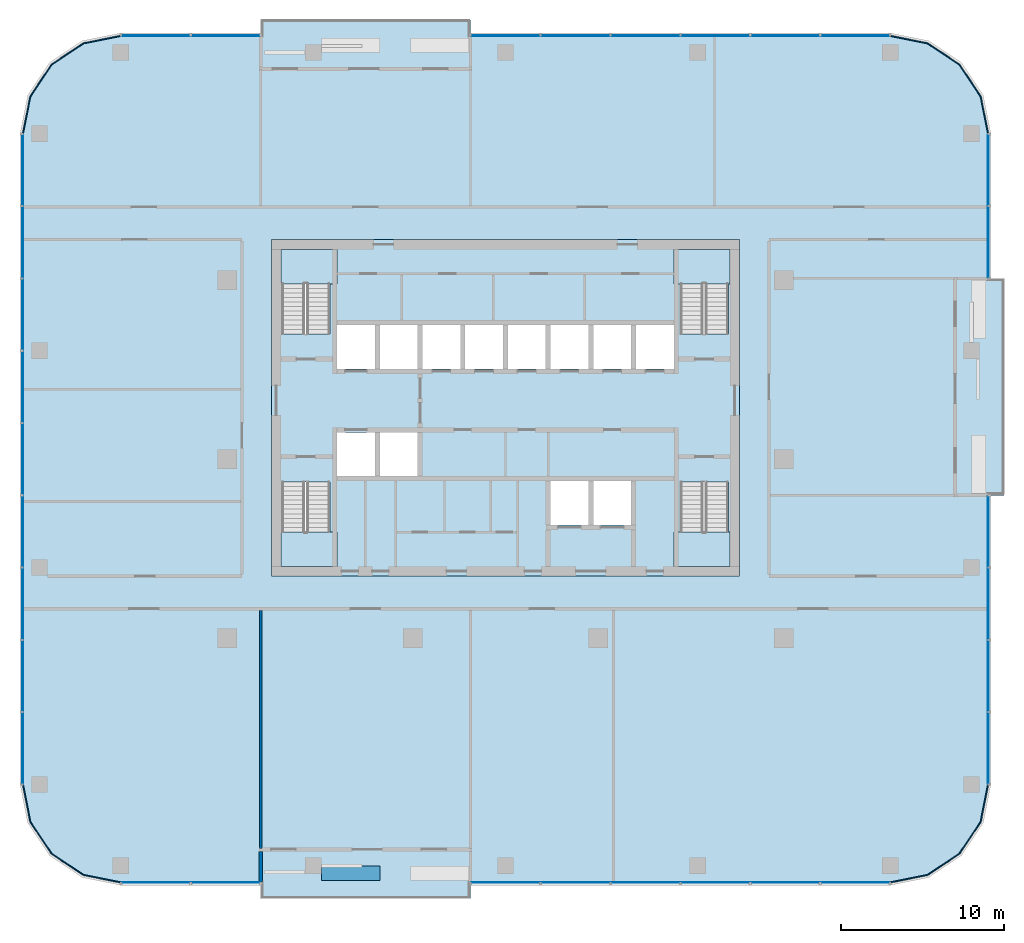
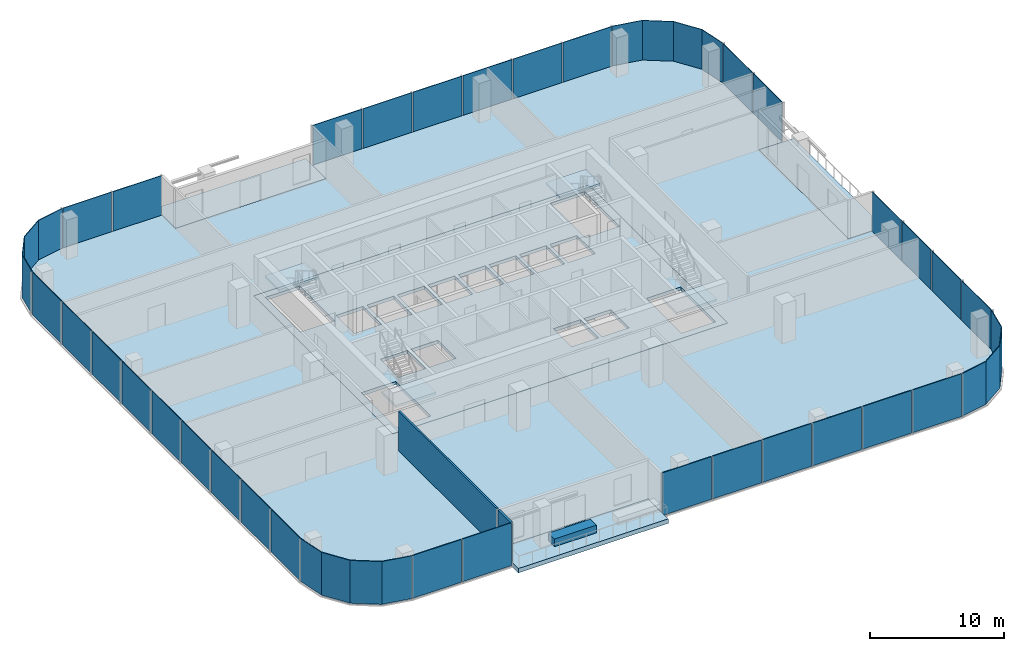
# One storey, part 6 of 13: 35 plates, 9 slabs, 3 walls, 15 elements without a shape of their own.
"""IFC4 building model written with IfcOpenShell, lengths in metres."""

from ifc_helpers import new_model, si_unit, direction, frame, frame_2d, origin, origin_2d, place, context, subcontext, project, spatial, polyline, rectangle, outline, extrude, material, layer, layer_set, type_object, element, aggregate, save


model = new_model("IFC4")

# Units and contexts
model_context = context("Model", 3, precision=1e-05, world=origin(), true_north=direction((0.0, 1.0)))
body_context = subcontext(model_context, "Body", "Model", "MODEL_VIEW")
ifc_project = project(units=[si_unit("LENGTHUNIT", "METRE"), si_unit("AREAUNIT", "SQUARE_METRE"), si_unit("VOLUMEUNIT", "CUBIC_METRE"), si_unit("PLANEANGLEUNIT", "RADIAN"), si_unit("MASSUNIT", "GRAM", prefix="KILO")], contexts=[model_context])

# Site, building, storey
site_placement = place(None, origin())
site = spatial("IfcSite", under=ifc_project, at=site_placement, CompositionType="ELEMENT")
building_placement = place(site_placement, origin())
building = spatial("IfcBuilding", under=site, at=building_placement, Name="Mopane Tessera Tower", CompositionType="ELEMENT")
storey_placement = place(building_placement, frame((0.0, 0.0, 307.39990234375)))
storey = spatial("IfcBuildingStorey", under=building, at=storey_placement, Name="L67", CompositionType="ELEMENT", Elevation=307.39990234375)

# Slab
ifc_material_1 = material(Name="Concrete C40/50", Category="concrete")
ifc_layer_1 = layer(ifc_material_1, 0.300048828125)
ifc_layer_set_1 = layer_set([ifc_layer_1], Name="Concrete C40/50")
slab_type_1 = type_object("IfcSlabType", Name="Core floor slab 300 mm", PredefinedType="FLOOR", material=ifc_layer_set_1)
slab_1_placement = place(storey_placement, frame((0.0, 0.0, -0.2998046875)))
element("IfcSlab", 1, at=slab_1_placement, inside=storey, type_object=slab_type_1, Name="L67 core floor slab", PredefinedType="FLOOR", context=body_context, shape_type="SweptSolid", body=[
    extrude(outline(polyline([(-14.39990234375, -7.199951171875), (14.39990234375, -7.199951171875), (14.39990234375, 13.5), (-14.39990234375, 13.5), (-14.39990234375, -7.199951171875)]), holes=[polyline([(-10.35009765625, -1.050048828125), (-8.02490234375, -1.050048828125), (-8.02490234375, 1.64990234375), (-10.35009765625, 1.64990234375), (-10.35009765625, -1.050048828125)]), polyline([(-7.72509765625, -1.050048828125), (-5.39990234375, -1.050048828125), (-5.39990234375, 1.64990234375), (-7.72509765625, 1.64990234375), (-7.72509765625, -1.050048828125)]), polyline([(-10.35009765625, 5.550048828125), (-8.02490234375, 5.550048828125), (-8.02490234375, 8.25), (-10.35009765625, 8.25), (-10.35009765625, 5.550048828125)]), polyline([(-7.72509765625, 5.550048828125), (-5.39990234375, 5.550048828125), (-5.39990234375, 8.25), (-7.72509765625, 8.25), (-7.72509765625, 5.550048828125)]), polyline([(-5.10009765625, 5.550048828125), (-2.77490234375, 5.550048828125), (-2.77490234375, 8.25), (-5.10009765625, 8.25), (-5.10009765625, 5.550048828125)]), polyline([(-2.47509765625, 5.550048828125), (-0.14990234375, 5.550048828125), (-0.14990234375, 8.25), (-2.47509765625, 8.25), (-2.47509765625, 5.550048828125)]), polyline([(0.14990234375, 5.550048828125), (2.47509765625, 5.550048828125), (2.47509765625, 8.25), (0.14990234375, 8.25), (0.14990234375, 5.550048828125)]), polyline([(2.77490234375, 5.550048828125), (5.10009765625, 5.550048828125), (5.10009765625, 8.25), (2.77490234375, 8.25), (2.77490234375, 5.550048828125)]), polyline([(5.39990234375, 5.550048828125), (7.72509765625, 5.550048828125), (7.72509765625, 8.25), (5.39990234375, 8.25), (5.39990234375, 5.550048828125)]), polyline([(8.02490234375, 5.550048828125), (10.35009765625, 5.550048828125), (10.35009765625, 8.25), (8.02490234375, 8.25), (8.02490234375, 5.550048828125)]), polyline([(2.77490234375, -4.050048828125), (5.10009765625, -4.050048828125), (5.10009765625, -1.35009765625), (2.77490234375, -1.35009765625), (2.77490234375, -4.050048828125)]), polyline([(5.39990234375, -4.050048828125), (7.72509765625, -4.050048828125), (7.72509765625, -1.35009765625), (5.39990234375, -1.35009765625), (5.39990234375, -4.050048828125)]), polyline([(-13.75, -1.405029296875), (-13.75, -6.60009765625), (-10.800048828125, -6.60009765625), (-10.800048828125, -1.405029296875), (-13.75, -1.405029296875)]), polyline([(-10.800048828125, 7.705078125), (-10.800048828125, 12.89990234375), (-13.75, 12.89990234375), (-13.75, 7.705078125), (-10.800048828125, 7.705078125)]), polyline([(10.75, -1.405029296875), (10.75, -6.60009765625), (13.699951171875, -6.60009765625), (13.699951171875, -1.405029296875), (10.75, -1.405029296875)]), polyline([(13.699951171875, 7.705078125), (13.699951171875, 12.89990234375), (10.75, 12.89990234375), (10.75, 7.705078125), (13.699951171875, 7.705078125)])]), origin(), (0.0, 0.0, 1.0), 0.2998046875),
])

# Stair, slab
ifc_material_2 = material(Name="Concrete C50/60", Category="concrete")
stair_type = type_object("IfcStairType", Name="Escape stair 1400 mm, riser 167 mm", PredefinedType="HALF_TURN_STAIR", material=ifc_material_2)
stair_1_placement = place(storey_placement, origin())
stair_1 = element("IfcStair", 2, at=stair_1_placement, inside=storey, type_object=stair_type, Name="L67 Escape stair south-west", PredefinedType="HALF_TURN_STAIR")
ifc_material_3 = material(Name="Concrete C50/60", Category="concrete")
ifc_layer_2 = layer(ifc_material_3, 0.199951171875)
ifc_layer_set_2 = layer_set([ifc_layer_2], Name="Concrete C50/60")
slab_type_2 = type_object("IfcSlabType", Name="Escape stair landing 200 mm", PredefinedType="LANDING", material=ifc_layer_set_2)
slab_2_placement = place(storey_placement, frame((0.0, 0.0, 1.800048828125)))
slab_2 = element("IfcSlab", 3, at=slab_2_placement, type_object=slab_type_2, Name="ST1 landing 1", PredefinedType="LANDING", context=body_context, shape_type="SweptSolid", body=[
    extrude(outline(polyline([(-13.800048828125, -4.47998046875), (-13.800048828125, -6.60009765625), (-10.35009765625, -6.60009765625), (-10.35009765625, -4.47998046875), (-13.800048828125, -4.47998046875)])), origin(), (0.0, 0.0, 1.0), 0.199951171875),
])
aggregate(stair_1, [slab_2])

stair_2_placement = place(storey_placement, origin())
stair_2 = element("IfcStair", 4, at=stair_2_placement, inside=storey, type_object=stair_type, Name="L67 Escape stair north-west", PredefinedType="HALF_TURN_STAIR")
slab_3_placement = place(storey_placement, frame((0.0, 0.0, 1.800048828125)))
slab_3 = element("IfcSlab", 5, at=slab_3_placement, type_object=slab_type_2, Name="ST2 landing 1", PredefinedType="LANDING", context=body_context, shape_type="SweptSolid", body=[
    extrude(outline(polyline([(-10.35009765625, 10.780029296875), (-10.35009765625, 12.89990234375), (-13.800048828125, 12.89990234375), (-13.800048828125, 10.780029296875), (-10.35009765625, 10.780029296875)])), origin(), (0.0, 0.0, 1.0), 0.199951171875),
])
aggregate(stair_2, [slab_3])

stair_3_placement = place(storey_placement, origin())
stair_3 = element("IfcStair", 6, at=stair_3_placement, inside=storey, type_object=stair_type, Name="L67 Escape stair south-east", PredefinedType="HALF_TURN_STAIR")
slab_4_placement = place(storey_placement, frame((0.0, 0.0, 1.800048828125)))
slab_4 = element("IfcSlab", 7, at=slab_4_placement, type_object=slab_type_2, Name="ST3 landing 1", PredefinedType="LANDING", context=body_context, shape_type="SweptSolid", body=[
    extrude(outline(polyline([(10.35009765625, -4.47998046875), (10.35009765625, -6.60009765625), (13.800048828125, -6.60009765625), (13.800048828125, -4.47998046875), (10.35009765625, -4.47998046875)])), origin(), (0.0, 0.0, 1.0), 0.199951171875),
])
aggregate(stair_3, [slab_4])

stair_4_placement = place(storey_placement, origin())
stair_4 = element("IfcStair", 8, at=stair_4_placement, inside=storey, type_object=stair_type, Name="L67 Escape stair north-east", PredefinedType="HALF_TURN_STAIR")
slab_5_placement = place(storey_placement, frame((0.0, 0.0, 1.800048828125)))
slab_5 = element("IfcSlab", 9, at=slab_5_placement, type_object=slab_type_2, Name="ST4 landing 1", PredefinedType="LANDING", context=body_context, shape_type="SweptSolid", body=[
    extrude(outline(polyline([(13.800048828125, 10.780029296875), (13.800048828125, 12.89990234375), (10.35009765625, 12.89990234375), (10.35009765625, 10.780029296875), (13.800048828125, 10.780029296875)])), origin(), (0.0, 0.0, 1.0), 0.199951171875),
])
aggregate(stair_4, [slab_5])

# Slabs
ifc_material_4 = material(Name="Concrete C40/50", Category="concrete")
ifc_layer_3 = layer(ifc_material_4, 0.39990234375)
ifc_layer_set_3 = layer_set([ifc_layer_3], Name="Concrete C40/50")
slab_type_3 = type_object("IfcSlabType", Name="Planted terrace slab 400 mm", PredefinedType="FLOOR", material=ifc_layer_set_3)
slab_6_placement = place(storey_placement, frame((0.0, 0.0, -0.39990234375)))
element("IfcSlab", 10, at=slab_6_placement, inside=storey, type_object=slab_type_3, Name="Terrace slab N1 L67", PredefinedType="FLOOR", context=body_context, shape_type="SweptSolid", body=[
    extrude(outline(polyline([(30.64990234375, 11.111083984375), (27.64990234375, 11.111083984375), (27.64990234375, -2.22216796875), (30.64990234375, -2.22216796875), (30.64990234375, 11.111083984375)])), origin(), (0.0, 0.0, 1.0), 0.39990234375),
])
slab_7_placement = place(storey_placement, frame((0.0, 0.0, -0.39990234375)))
element("IfcSlab", 11, at=slab_7_placement, inside=storey, type_object=slab_type_3, Name="Terrace slab N2 L67", PredefinedType="FLOOR", context=body_context, shape_type="SweptSolid", body=[
    extrude(outline(polyline([(-15.050048828125, 27.0), (-15.050048828125, 24.0), (-2.14990234375, 24.0), (-2.14990234375, 27.0), (-15.050048828125, 27.0)])), origin(), (0.0, 0.0, 1.0), 0.39990234375),
])
slab_8_placement = place(storey_placement, frame((0.0, 0.0, -0.39990234375)))
element("IfcSlab", 12, at=slab_8_placement, inside=storey, type_object=slab_type_3, Name="Terrace slab N3 L67", PredefinedType="FLOOR", context=body_context, shape_type="SweptSolid", body=[
    extrude(outline(polyline([(-2.14990234375, -27.0), (-2.14990234375, -24.0), (-15.050048828125, -24.0), (-15.050048828125, -27.0), (-2.14990234375, -27.0)])), origin(), (0.0, 0.0, 1.0), 0.39990234375),
])
ifc_material_5 = material(Name="Concrete C40/50", Category="concrete")
ifc_layer_4 = layer(ifc_material_5, 0.39990234375)
ifc_layer_set_4 = layer_set([ifc_layer_4], Name="Concrete C40/50")
slab_type_4 = type_object("IfcSlabType", Name="Post-tensioned flat plate 400 mm", PredefinedType="FLOOR", material=ifc_layer_set_4)
slab_9_placement = place(storey_placement, frame((0.0, 0.0, -0.39990234375)))
element("IfcSlab", 13, at=slab_9_placement, inside=storey, type_object=slab_type_4, Name="Floor slab L67", PredefinedType="FLOOR", context=body_context, shape_type="SweptSolid", body=[
    extrude(outline(polyline([(-23.64990234375, -26.0), (-15.050048828125, -26.0), (-15.050048828125, -24.0), (-2.14990234375, -24.0), (-2.14990234375, -26.0), (23.64990234375, -26.0), (25.946044921875, -25.543212890625), (27.892578125, -24.24267578125), (29.193359375, -22.296142578125), (29.64990234375, -20.0), (29.64990234375, -2.22216796875), (27.64990234375, -2.22216796875), (27.64990234375, 11.111083984375), (29.64990234375, 11.111083984375), (29.64990234375, 20.0), (29.193359375, 22.296142578125), (27.892578125, 24.24267578125), (25.946044921875, 25.543212890625), (23.64990234375, 26.0), (-2.14990234375, 26.0), (-2.14990234375, 24.0), (-15.050048828125, 24.0), (-15.050048828125, 26.0), (-23.64990234375, 26.0), (-25.946044921875, 25.543212890625), (-27.892578125, 24.24267578125), (-29.193359375, 22.296142578125), (-29.64990234375, 20.0), (-29.64990234375, -20.0), (-29.193359375, -22.296142578125), (-27.892578125, -24.24267578125), (-25.946044921875, -25.543212890625), (-23.64990234375, -26.0)]), holes=[polyline([(14.39990234375, -7.199951171875), (-14.39990234375, -7.199951171875), (-14.39990234375, 13.5), (14.39990234375, 13.5), (14.39990234375, -7.199951171875)])]), origin(), (0.0, 0.0, 1.0), 0.39990234375),
])

# Curtain wall, plates
ifc_material_6 = material(Name="Aluminium frame", Category="aluminium")
curtain_wall_type = type_object("IfcCurtainWallType", Name="Unitised curtain wall", PredefinedType="NOTDEFINED", material=ifc_material_6)
curtain_wall_1_placement = place(storey_placement, origin())
curtain_wall_1 = element("IfcCurtainWall", 14, at=curtain_wall_1_placement, inside=storey, type_object=curtain_wall_type, Name="e:cw:L67:S:0", PredefinedType="NOTDEFINED")
ifc_material_7 = material(Name="Clear laminated glass", Category="glass")
ifc_layer_5 = layer(ifc_material_7, 0.06005859375)
ifc_layer_set_5 = layer_set([ifc_layer_5], Name="Clear laminated glass")
plate_type = type_object("IfcPlateType", Name="Unitised glazed unit", PredefinedType="CURTAIN_PANEL", material=ifc_layer_set_5)
plate_1_placement = place(storey_placement, frame((-21.5, -26.030029296875, -0.27978515625), z_axis=(0.0, 0.0, 1.0), x_axis=(1.0, 0.0, 0.0)))
plate_1 = element("IfcPlate", 15, at=plate_1_placement, type_object=plate_type, Name="e:cw:L67:S:0:pn0", PredefinedType="CURTAIN_PANEL", context=body_context, shape_type="SweptSolid", body=[
    extrude(rectangle(XDim=4.199951171875, YDim=0.06005859375, at=origin_2d()), origin(), (0.0, 0.0, 1.0), 3.8798828125),
])
plate_2_placement = place(storey_placement, frame((-17.199951171875, -26.030029296875, -0.27978515625), z_axis=(0.0, 0.0, 1.0), x_axis=(1.0, 0.0, 0.0)))
plate_2 = element("IfcPlate", 16, at=plate_2_placement, type_object=plate_type, Name="e:cw:L67:S:0:pn1", PredefinedType="CURTAIN_PANEL", context=body_context, shape_type="SweptSolid", body=[
    extrude(rectangle(XDim=4.199951171875, YDim=0.06005859375, at=origin_2d()), origin(), (0.0, 0.0, 1.0), 3.8798828125),
])
aggregate(curtain_wall_1, [plate_1, plate_2])

curtain_wall_2_placement = place(storey_placement, origin())
curtain_wall_2 = element("IfcCurtainWall", 17, at=curtain_wall_2_placement, inside=storey, type_object=curtain_wall_type, Name="e:cw:L67:S:5", PredefinedType="NOTDEFINED")
plate_3_placement = place(storey_placement, frame((0.0, -26.030029296875, -0.27978515625), z_axis=(0.0, 0.0, 1.0), x_axis=(1.0, 0.0, 0.0)))
plate_3 = element("IfcPlate", 18, at=plate_3_placement, type_object=plate_type, Name="e:cw:L67:S:5:pn5", PredefinedType="CURTAIN_PANEL", context=body_context, shape_type="SweptSolid", body=[
    extrude(rectangle(XDim=4.199951171875, YDim=0.06005859375, at=origin_2d()), origin(), (0.0, 0.0, 1.0), 3.8798828125),
])
plate_4_placement = place(storey_placement, frame((4.300048828125, -26.030029296875, -0.27978515625), z_axis=(0.0, 0.0, 1.0), x_axis=(1.0, 0.0, 0.0)))
plate_4 = element("IfcPlate", 19, at=plate_4_placement, type_object=plate_type, Name="e:cw:L67:S:5:pn6", PredefinedType="CURTAIN_PANEL", context=body_context, shape_type="SweptSolid", body=[
    extrude(rectangle(XDim=4.199951171875, YDim=0.06005859375, at=origin_2d()), origin(), (0.0, 0.0, 1.0), 3.8798828125),
])
plate_5_placement = place(storey_placement, frame((8.60009765625, -26.030029296875, -0.27978515625), z_axis=(0.0, 0.0, 1.0), x_axis=(1.0, 0.0, 0.0)))
plate_5 = element("IfcPlate", 20, at=plate_5_placement, type_object=plate_type, Name="e:cw:L67:S:5:pn7", PredefinedType="CURTAIN_PANEL", context=body_context, shape_type="SweptSolid", body=[
    extrude(rectangle(XDim=4.199951171875, YDim=0.06005859375, at=origin_2d()), origin(), (0.0, 0.0, 1.0), 3.8798828125),
])
plate_6_placement = place(storey_placement, frame((12.89990234375, -26.030029296875, -0.27978515625), z_axis=(0.0, 0.0, 1.0), x_axis=(1.0, 0.0, 0.0)))
plate_6 = element("IfcPlate", 21, at=plate_6_placement, type_object=plate_type, Name="e:cw:L67:S:5:pn8", PredefinedType="CURTAIN_PANEL", context=body_context, shape_type="SweptSolid", body=[
    extrude(rectangle(XDim=4.199951171875, YDim=0.06005859375, at=origin_2d()), origin(), (0.0, 0.0, 1.0), 3.8798828125),
])
plate_7_placement = place(storey_placement, frame((17.199951171875, -26.030029296875, -0.27978515625), z_axis=(0.0, 0.0, 1.0), x_axis=(1.0, 0.0, 0.0)))
plate_7 = element("IfcPlate", 22, at=plate_7_placement, type_object=plate_type, Name="e:cw:L67:S:5:pn9", PredefinedType="CURTAIN_PANEL", context=body_context, shape_type="SweptSolid", body=[
    extrude(rectangle(XDim=4.199951171875, YDim=0.06005859375, at=origin_2d()), origin(), (0.0, 0.0, 1.0), 3.8798828125),
])
plate_8_placement = place(storey_placement, frame((21.5, -26.030029296875, -0.27978515625), z_axis=(0.0, 0.0, 1.0), x_axis=(1.0, 0.0, 0.0)))
plate_8 = element("IfcPlate", 23, at=plate_8_placement, type_object=plate_type, Name="e:cw:L67:S:5:pn10", PredefinedType="CURTAIN_PANEL", context=body_context, shape_type="SweptSolid", body=[
    extrude(rectangle(XDim=4.199951171875, YDim=0.06005859375, at=origin_2d()), origin(), (0.0, 0.0, 1.0), 3.8798828125),
])
aggregate(curtain_wall_2, [plate_3, plate_4, plate_5, plate_6, plate_7, plate_8])

# Curtain wall, plate
curtain_wall_3_placement = place(storey_placement, origin())
curtain_wall_3 = element("IfcCurtainWall", 24, at=curtain_wall_3_placement, inside=storey, type_object=curtain_wall_type, Name="e:cw:L67:CS", PredefinedType="NOTDEFINED")
plate_9_placement = place(storey_placement, frame((0.0, 0.0, -0.27978515625)))
plate_9 = element("IfcPlate", 25, at=plate_9_placement, type_object=plate_type, Name="e:cw:L67:CS:pn", PredefinedType="CURTAIN_PANEL", context=body_context, shape_type="SweptSolid", body=[
    extrude(outline(polyline([(23.64990234375, -26.0), (25.946044921875, -25.543212890625), (27.892578125, -24.24267578125), (29.193359375, -22.296142578125), (29.64990234375, -20.0), (29.7099609375, -20.0), (29.248779296875, -22.319091796875), (27.93505859375, -24.28515625), (25.968994140625, -25.5986328125), (23.64990234375, -26.06005859375), (23.64990234375, -26.0)])), origin(), (0.0, 0.0, 1.0), 3.8798828125),
])
aggregate(curtain_wall_3, [plate_9])

# Curtain wall, plates
curtain_wall_4_placement = place(storey_placement, origin())
curtain_wall_4 = element("IfcCurtainWall", 26, at=curtain_wall_4_placement, inside=storey, type_object=curtain_wall_type, Name="e:cw:L67:E:0", PredefinedType="NOTDEFINED")
plate_10_placement = place(storey_placement, frame((29.679931640625, -17.77783203125, -0.27978515625), z_axis=(0.0, 0.0, 1.0), x_axis=(0.0, 1.0, 0.0)))
plate_10 = element("IfcPlate", 27, at=plate_10_placement, type_object=plate_type, Name="e:cw:L67:E:0:pn0", PredefinedType="CURTAIN_PANEL", context=body_context, shape_type="SweptSolid", body=[
    extrude(rectangle(XDim=4.344482421875, YDim=0.06005859375, at=origin_2d()), origin(), (0.0, 0.0, 1.0), 3.8798828125),
])
plate_11_placement = place(storey_placement, frame((29.679931640625, -13.333251953125, -0.27978515625), z_axis=(0.0, 0.0, 1.0), x_axis=(0.0, 1.0, 0.0)))
plate_11 = element("IfcPlate", 28, at=plate_11_placement, type_object=plate_type, Name="e:cw:L67:E:0:pn1", PredefinedType="CURTAIN_PANEL", context=body_context, shape_type="SweptSolid", body=[
    extrude(rectangle(XDim=4.344482421875, YDim=0.06005859375, at=origin_2d()), origin(), (0.0, 0.0, 1.0), 3.8798828125),
])
plate_12_placement = place(storey_placement, frame((29.679931640625, -8.888916015625, -0.27978515625), z_axis=(0.0, 0.0, 1.0), x_axis=(0.0, 1.0, 0.0)))
plate_12 = element("IfcPlate", 29, at=plate_12_placement, type_object=plate_type, Name="e:cw:L67:E:0:pn2", PredefinedType="CURTAIN_PANEL", context=body_context, shape_type="SweptSolid", body=[
    extrude(rectangle(XDim=4.344482421875, YDim=0.06005859375, at=origin_2d()), origin(), (0.0, 0.0, 1.0), 3.8798828125),
])
plate_13_placement = place(storey_placement, frame((29.679931640625, -4.4443359375, -0.27978515625), z_axis=(0.0, 0.0, 1.0), x_axis=(0.0, 1.0, 0.0)))
plate_13 = element("IfcPlate", 30, at=plate_13_placement, type_object=plate_type, Name="e:cw:L67:E:0:pn3", PredefinedType="CURTAIN_PANEL", context=body_context, shape_type="SweptSolid", body=[
    extrude(rectangle(XDim=4.344482421875, YDim=0.06005859375, at=origin_2d()), origin(), (0.0, 0.0, 1.0), 3.8798828125),
])
aggregate(curtain_wall_4, [plate_10, plate_11, plate_12, plate_13])

curtain_wall_5_placement = place(storey_placement, origin())
curtain_wall_5 = element("IfcCurtainWall", 31, at=curtain_wall_5_placement, inside=storey, type_object=curtain_wall_type, Name="e:cw:L67:E:7", PredefinedType="NOTDEFINED")
plate_14_placement = place(storey_placement, frame((29.679931640625, 13.333251953125, -0.27978515625), z_axis=(0.0, 0.0, 1.0), x_axis=(0.0, 1.0, 0.0)))
plate_14 = element("IfcPlate", 32, at=plate_14_placement, type_object=plate_type, Name="e:cw:L67:E:7:pn7", PredefinedType="CURTAIN_PANEL", context=body_context, shape_type="SweptSolid", body=[
    extrude(rectangle(XDim=4.344482421875, YDim=0.06005859375, at=origin_2d()), origin(), (0.0, 0.0, 1.0), 3.8798828125),
])
plate_15_placement = place(storey_placement, frame((29.679931640625, 17.77783203125, -0.27978515625), z_axis=(0.0, 0.0, 1.0), x_axis=(0.0, 1.0, 0.0)))
plate_15 = element("IfcPlate", 33, at=plate_15_placement, type_object=plate_type, Name="e:cw:L67:E:7:pn8", PredefinedType="CURTAIN_PANEL", context=body_context, shape_type="SweptSolid", body=[
    extrude(rectangle(XDim=4.344482421875, YDim=0.06005859375, at=origin_2d()), origin(), (0.0, 0.0, 1.0), 3.8798828125),
])
aggregate(curtain_wall_5, [plate_14, plate_15])

# Curtain wall, plate
curtain_wall_6_placement = place(storey_placement, origin())
curtain_wall_6 = element("IfcCurtainWall", 34, at=curtain_wall_6_placement, inside=storey, type_object=curtain_wall_type, Name="e:cw:L67:CE", PredefinedType="NOTDEFINED")
plate_16_placement = place(storey_placement, frame((0.0, 0.0, -0.27978515625)))
plate_16 = element("IfcPlate", 35, at=plate_16_placement, type_object=plate_type, Name="e:cw:L67:CE:pn", PredefinedType="CURTAIN_PANEL", context=body_context, shape_type="SweptSolid", body=[
    extrude(outline(polyline([(29.64990234375, 20.0), (29.193359375, 22.296142578125), (27.892578125, 24.24267578125), (25.946044921875, 25.543212890625), (23.64990234375, 26.0), (23.64990234375, 26.06005859375), (25.968994140625, 25.5986328125), (27.93505859375, 24.28515625), (29.248779296875, 22.319091796875), (29.7099609375, 20.0), (29.64990234375, 20.0)])), origin(), (0.0, 0.0, 1.0), 3.8798828125),
])
aggregate(curtain_wall_6, [plate_16])

# Curtain wall, plates
curtain_wall_7_placement = place(storey_placement, origin())
curtain_wall_7 = element("IfcCurtainWall", 36, at=curtain_wall_7_placement, inside=storey, type_object=curtain_wall_type, Name="e:cw:L67:N:0", PredefinedType="NOTDEFINED")
plate_17_placement = place(storey_placement, frame((21.5, 26.030029296875, -0.27978515625), z_axis=(0.0, 0.0, 1.0), x_axis=(-1.0, 0.0, 0.0)))
plate_17 = element("IfcPlate", 37, at=plate_17_placement, type_object=plate_type, Name="e:cw:L67:N:0:pn0", PredefinedType="CURTAIN_PANEL", context=body_context, shape_type="SweptSolid", body=[
    extrude(rectangle(XDim=4.199951171875, YDim=0.06005859375, at=origin_2d()), origin(), (0.0, 0.0, 1.0), 3.8798828125),
])
plate_18_placement = place(storey_placement, frame((17.199951171875, 26.030029296875, -0.27978515625), z_axis=(0.0, 0.0, 1.0), x_axis=(-1.0, 0.0, 0.0)))
plate_18 = element("IfcPlate", 38, at=plate_18_placement, type_object=plate_type, Name="e:cw:L67:N:0:pn1", PredefinedType="CURTAIN_PANEL", context=body_context, shape_type="SweptSolid", body=[
    extrude(rectangle(XDim=4.199951171875, YDim=0.06005859375, at=origin_2d()), origin(), (0.0, 0.0, 1.0), 3.8798828125),
])
plate_19_placement = place(storey_placement, frame((12.89990234375, 26.030029296875, -0.27978515625), z_axis=(0.0, 0.0, 1.0), x_axis=(-1.0, 0.0, 0.0)))
plate_19 = element("IfcPlate", 39, at=plate_19_placement, type_object=plate_type, Name="e:cw:L67:N:0:pn2", PredefinedType="CURTAIN_PANEL", context=body_context, shape_type="SweptSolid", body=[
    extrude(rectangle(XDim=4.199951171875, YDim=0.06005859375, at=origin_2d()), origin(), (0.0, 0.0, 1.0), 3.8798828125),
])
plate_20_placement = place(storey_placement, frame((8.60009765625, 26.030029296875, -0.27978515625), z_axis=(0.0, 0.0, 1.0), x_axis=(-1.0, 0.0, 0.0)))
plate_20 = element("IfcPlate", 40, at=plate_20_placement, type_object=plate_type, Name="e:cw:L67:N:0:pn3", PredefinedType="CURTAIN_PANEL", context=body_context, shape_type="SweptSolid", body=[
    extrude(rectangle(XDim=4.199951171875, YDim=0.06005859375, at=origin_2d()), origin(), (0.0, 0.0, 1.0), 3.8798828125),
])
plate_21_placement = place(storey_placement, frame((4.300048828125, 26.030029296875, -0.27978515625), z_axis=(0.0, 0.0, 1.0), x_axis=(-1.0, 0.0, 0.0)))
plate_21 = element("IfcPlate", 41, at=plate_21_placement, type_object=plate_type, Name="e:cw:L67:N:0:pn4", PredefinedType="CURTAIN_PANEL", context=body_context, shape_type="SweptSolid", body=[
    extrude(rectangle(XDim=4.199951171875, YDim=0.06005859375, at=origin_2d()), origin(), (0.0, 0.0, 1.0), 3.8798828125),
])
plate_22_placement = place(storey_placement, frame((0.0, 26.030029296875, -0.27978515625), z_axis=(0.0, 0.0, 1.0), x_axis=(-1.0, 0.0, 0.0)))
plate_22 = element("IfcPlate", 42, at=plate_22_placement, type_object=plate_type, Name="e:cw:L67:N:0:pn5", PredefinedType="CURTAIN_PANEL", context=body_context, shape_type="SweptSolid", body=[
    extrude(rectangle(XDim=4.199951171875, YDim=0.06005859375, at=origin_2d()), origin(), (0.0, 0.0, 1.0), 3.8798828125),
])
aggregate(curtain_wall_7, [plate_17, plate_18, plate_19, plate_20, plate_21, plate_22])

curtain_wall_8_placement = place(storey_placement, origin())
curtain_wall_8 = element("IfcCurtainWall", 43, at=curtain_wall_8_placement, inside=storey, type_object=curtain_wall_type, Name="e:cw:L67:N:9", PredefinedType="NOTDEFINED")
plate_23_placement = place(storey_placement, frame((-17.199951171875, 26.030029296875, -0.27978515625), z_axis=(0.0, 0.0, 1.0), x_axis=(-1.0, 0.0, 0.0)))
plate_23 = element("IfcPlate", 44, at=plate_23_placement, type_object=plate_type, Name="e:cw:L67:N:9:pn9", PredefinedType="CURTAIN_PANEL", context=body_context, shape_type="SweptSolid", body=[
    extrude(rectangle(XDim=4.199951171875, YDim=0.06005859375, at=origin_2d()), origin(), (0.0, 0.0, 1.0), 3.8798828125),
])
plate_24_placement = place(storey_placement, frame((-21.5, 26.030029296875, -0.27978515625), z_axis=(0.0, 0.0, 1.0), x_axis=(-1.0, 0.0, 0.0)))
plate_24 = element("IfcPlate", 45, at=plate_24_placement, type_object=plate_type, Name="e:cw:L67:N:9:pn10", PredefinedType="CURTAIN_PANEL", context=body_context, shape_type="SweptSolid", body=[
    extrude(rectangle(XDim=4.199951171875, YDim=0.06005859375, at=origin_2d()), origin(), (0.0, 0.0, 1.0), 3.8798828125),
])
aggregate(curtain_wall_8, [plate_23, plate_24])

# Curtain wall, plate
curtain_wall_9_placement = place(storey_placement, origin())
curtain_wall_9 = element("IfcCurtainWall", 46, at=curtain_wall_9_placement, inside=storey, type_object=curtain_wall_type, Name="e:cw:L67:CN", PredefinedType="NOTDEFINED")
plate_25_placement = place(storey_placement, frame((0.0, 0.0, -0.27978515625)))
plate_25 = element("IfcPlate", 47, at=plate_25_placement, type_object=plate_type, Name="e:cw:L67:CN:pn", PredefinedType="CURTAIN_PANEL", context=body_context, shape_type="SweptSolid", body=[
    extrude(outline(polyline([(-23.64990234375, 26.0), (-25.946044921875, 25.543212890625), (-27.892578125, 24.24267578125), (-29.193359375, 22.296142578125), (-29.64990234375, 20.0), (-29.7099609375, 20.0), (-29.248779296875, 22.319091796875), (-27.93505859375, 24.28515625), (-25.968994140625, 25.5986328125), (-23.64990234375, 26.06005859375), (-23.64990234375, 26.0)])), origin(), (0.0, 0.0, 1.0), 3.8798828125),
])
aggregate(curtain_wall_9, [plate_25])

# Curtain wall, plates
curtain_wall_10_placement = place(storey_placement, origin())
curtain_wall_10 = element("IfcCurtainWall", 48, at=curtain_wall_10_placement, inside=storey, type_object=curtain_wall_type, Name="e:cw:L67:W:0", PredefinedType="NOTDEFINED")
plate_26_placement = place(storey_placement, frame((-29.679931640625, 17.77783203125, -0.27978515625), z_axis=(0.0, 0.0, 1.0), x_axis=(0.0, -1.0, 0.0)))
plate_26 = element("IfcPlate", 49, at=plate_26_placement, type_object=plate_type, Name="e:cw:L67:W:0:pn0", PredefinedType="CURTAIN_PANEL", context=body_context, shape_type="SweptSolid", body=[
    extrude(rectangle(XDim=4.344482421875, YDim=0.06005859375, at=origin_2d()), origin(), (0.0, 0.0, 1.0), 3.8798828125),
])
plate_27_placement = place(storey_placement, frame((-29.679931640625, 13.333251953125, -0.27978515625), z_axis=(0.0, 0.0, 1.0), x_axis=(0.0, -1.0, 0.0)))
plate_27 = element("IfcPlate", 50, at=plate_27_placement, type_object=plate_type, Name="e:cw:L67:W:0:pn1", PredefinedType="CURTAIN_PANEL", context=body_context, shape_type="SweptSolid", body=[
    extrude(rectangle(XDim=4.344482421875, YDim=0.06005859375, at=origin_2d()), origin(), (0.0, 0.0, 1.0), 3.8798828125),
])
plate_28_placement = place(storey_placement, frame((-29.679931640625, 8.888916015625, -0.27978515625), z_axis=(0.0, 0.0, 1.0), x_axis=(0.0, -1.0, 0.0)))
plate_28 = element("IfcPlate", 51, at=plate_28_placement, type_object=plate_type, Name="e:cw:L67:W:0:pn2", PredefinedType="CURTAIN_PANEL", context=body_context, shape_type="SweptSolid", body=[
    extrude(rectangle(XDim=4.344482421875, YDim=0.06005859375, at=origin_2d()), origin(), (0.0, 0.0, 1.0), 3.8798828125),
])
plate_29_placement = place(storey_placement, frame((-29.679931640625, 4.4443359375, -0.27978515625), z_axis=(0.0, 0.0, 1.0), x_axis=(0.0, -1.0, 0.0)))
plate_29 = element("IfcPlate", 52, at=plate_29_placement, type_object=plate_type, Name="e:cw:L67:W:0:pn3", PredefinedType="CURTAIN_PANEL", context=body_context, shape_type="SweptSolid", body=[
    extrude(rectangle(XDim=4.344482421875, YDim=0.06005859375, at=origin_2d()), origin(), (0.0, 0.0, 1.0), 3.8798828125),
])
plate_30_placement = place(storey_placement, frame((-29.679931640625, 0.0, -0.27978515625), z_axis=(0.0, 0.0, 1.0), x_axis=(0.0, -1.0, 0.0)))
plate_30 = element("IfcPlate", 53, at=plate_30_placement, type_object=plate_type, Name="e:cw:L67:W:0:pn4", PredefinedType="CURTAIN_PANEL", context=body_context, shape_type="SweptSolid", body=[
    extrude(rectangle(XDim=4.344482421875, YDim=0.06005859375, at=origin_2d()), origin(), (0.0, 0.0, 1.0), 3.8798828125),
])
plate_31_placement = place(storey_placement, frame((-29.679931640625, -4.4443359375, -0.27978515625), z_axis=(0.0, 0.0, 1.0), x_axis=(0.0, -1.0, 0.0)))
plate_31 = element("IfcPlate", 54, at=plate_31_placement, type_object=plate_type, Name="e:cw:L67:W:0:pn5", PredefinedType="CURTAIN_PANEL", context=body_context, shape_type="SweptSolid", body=[
    extrude(rectangle(XDim=4.344482421875, YDim=0.06005859375, at=origin_2d()), origin(), (0.0, 0.0, 1.0), 3.8798828125),
])
plate_32_placement = place(storey_placement, frame((-29.679931640625, -8.888916015625, -0.27978515625), z_axis=(0.0, 0.0, 1.0), x_axis=(0.0, -1.0, 0.0)))
plate_32 = element("IfcPlate", 55, at=plate_32_placement, type_object=plate_type, Name="e:cw:L67:W:0:pn6", PredefinedType="CURTAIN_PANEL", context=body_context, shape_type="SweptSolid", body=[
    extrude(rectangle(XDim=4.344482421875, YDim=0.06005859375, at=origin_2d()), origin(), (0.0, 0.0, 1.0), 3.8798828125),
])
plate_33_placement = place(storey_placement, frame((-29.679931640625, -13.333251953125, -0.27978515625), z_axis=(0.0, 0.0, 1.0), x_axis=(0.0, -1.0, 0.0)))
plate_33 = element("IfcPlate", 56, at=plate_33_placement, type_object=plate_type, Name="e:cw:L67:W:0:pn7", PredefinedType="CURTAIN_PANEL", context=body_context, shape_type="SweptSolid", body=[
    extrude(rectangle(XDim=4.344482421875, YDim=0.06005859375, at=origin_2d()), origin(), (0.0, 0.0, 1.0), 3.8798828125),
])
plate_34_placement = place(storey_placement, frame((-29.679931640625, -17.77783203125, -0.27978515625), z_axis=(0.0, 0.0, 1.0), x_axis=(0.0, -1.0, 0.0)))
plate_34 = element("IfcPlate", 57, at=plate_34_placement, type_object=plate_type, Name="e:cw:L67:W:0:pn8", PredefinedType="CURTAIN_PANEL", context=body_context, shape_type="SweptSolid", body=[
    extrude(rectangle(XDim=4.344482421875, YDim=0.06005859375, at=origin_2d()), origin(), (0.0, 0.0, 1.0), 3.8798828125),
])
aggregate(curtain_wall_10, [plate_26, plate_27, plate_28, plate_29, plate_30, plate_31, plate_32, plate_33, plate_34])

# Curtain wall, plate
curtain_wall_11_placement = place(storey_placement, origin())
curtain_wall_11 = element("IfcCurtainWall", 58, at=curtain_wall_11_placement, inside=storey, type_object=curtain_wall_type, Name="e:cw:L67:CW", PredefinedType="NOTDEFINED")
plate_35_placement = place(storey_placement, frame((0.0, 0.0, -0.27978515625)))
plate_35 = element("IfcPlate", 59, at=plate_35_placement, type_object=plate_type, Name="e:cw:L67:CW:pn", PredefinedType="CURTAIN_PANEL", context=body_context, shape_type="SweptSolid", body=[
    extrude(outline(polyline([(-29.64990234375, -20.0), (-29.193359375, -22.296142578125), (-27.892578125, -24.24267578125), (-25.946044921875, -25.543212890625), (-23.64990234375, -26.0), (-23.64990234375, -26.06005859375), (-25.968994140625, -25.5986328125), (-27.93505859375, -24.28515625), (-29.248779296875, -22.319091796875), (-29.7099609375, -20.0), (-29.64990234375, -20.0)])), origin(), (0.0, 0.0, 1.0), 3.8798828125),
])
aggregate(curtain_wall_11, [plate_35])

# Walls
ifc_material_8 = material(Name="Gypsum board on steel studs, mineral wool infill", Category="steel")
ifc_layer_6 = layer(ifc_material_8, 0.14990234375)
ifc_layer_set_6 = layer_set([ifc_layer_6], Name="Gypsum board on steel studs, mineral wool infill")
wall_type_1 = type_object("IfcWallType", Name="Gypsum board partition 150, rated EI 60", PredefinedType="PARTITIONING", material=ifc_layer_set_6)
wall_1_placement = place(storey_placement, frame((-15.050048828125, -23.949951171875, 0.0), z_axis=(0.0, 0.0, 1.0), x_axis=(0.0, 1.0, 0.0)))
element("IfcWall", 60, at=wall_1_placement, inside=storey, type_object=wall_type_1, Name="Partition L67:011", PredefinedType="PARTITIONING", context=body_context, shape_type="SweptSolid", body=[
    extrude(rectangle(XDim=14.64990234375, YDim=0.14990234375, at=frame_2d((7.324951171875, 0.0))), origin(), (0.0, 0.0, 1.0), 3.60009765625),
])
ifc_material_9 = material(Name="Reinforced concrete C32/40 with waterproofing", Category="concrete")
ifc_layer_7 = layer(ifc_material_9, 0.89990234375)
ifc_layer_set_7 = layer_set([ifc_layer_7], Name="Reinforced concrete C32/40 with waterproofing")
wall_type_2 = type_object("IfcWallType", Name="Planter trough 3600 x 900", PredefinedType="STANDARD", material=ifc_layer_set_7)
wall_2_placement = place(storey_placement, frame((-11.304931640625, -25.449951171875, 0.0), z_axis=(0.0, 0.0, 1.0), x_axis=(1.0, 0.0, 0.0)))
element("IfcWall", 61, at=wall_2_placement, inside=storey, type_object=wall_type_2, Name="e:nw:L67:N3:pl0", PredefinedType="STANDARD", context=body_context, shape_type="SweptSolid", body=[
    extrude(rectangle(XDim=3.60009765625, YDim=0.89990234375, at=frame_2d((1.800048828125, 0.0))), origin(), (0.0, 0.0, 1.0), 0.7001953125),
])
ifc_material_10 = material(Name="Blockwork with glazed tile facing", Category="masonry")
ifc_layer_8 = layer(ifc_material_10, 0.199951171875)
ifc_layer_set_8 = layer_set([ifc_layer_8], Name="Blockwork with glazed tile facing")
wall_type_3 = type_object("IfcWallType", Name="Terrace cheek wall 200", PredefinedType="STANDARD", material=ifc_layer_set_8)
wall_3_placement = place(storey_placement, frame((-15.050048828125, -26.0, 0.0), z_axis=(0.0, 0.0, 1.0), x_axis=(0.0, 1.0, 0.0)))
element("IfcWall", 62, at=wall_3_placement, inside=storey, type_object=wall_type_3, Name="e:nw:L67:N3:cheeka", PredefinedType="STANDARD", context=body_context, shape_type="SweptSolid", body=[
    extrude(rectangle(XDim=1.875, YDim=0.199951171875, at=frame_2d((0.9375, 0.0))), origin(), (0.0, 0.0, 1.0), 3.60009765625),
])

save(model, "model.ifc")
